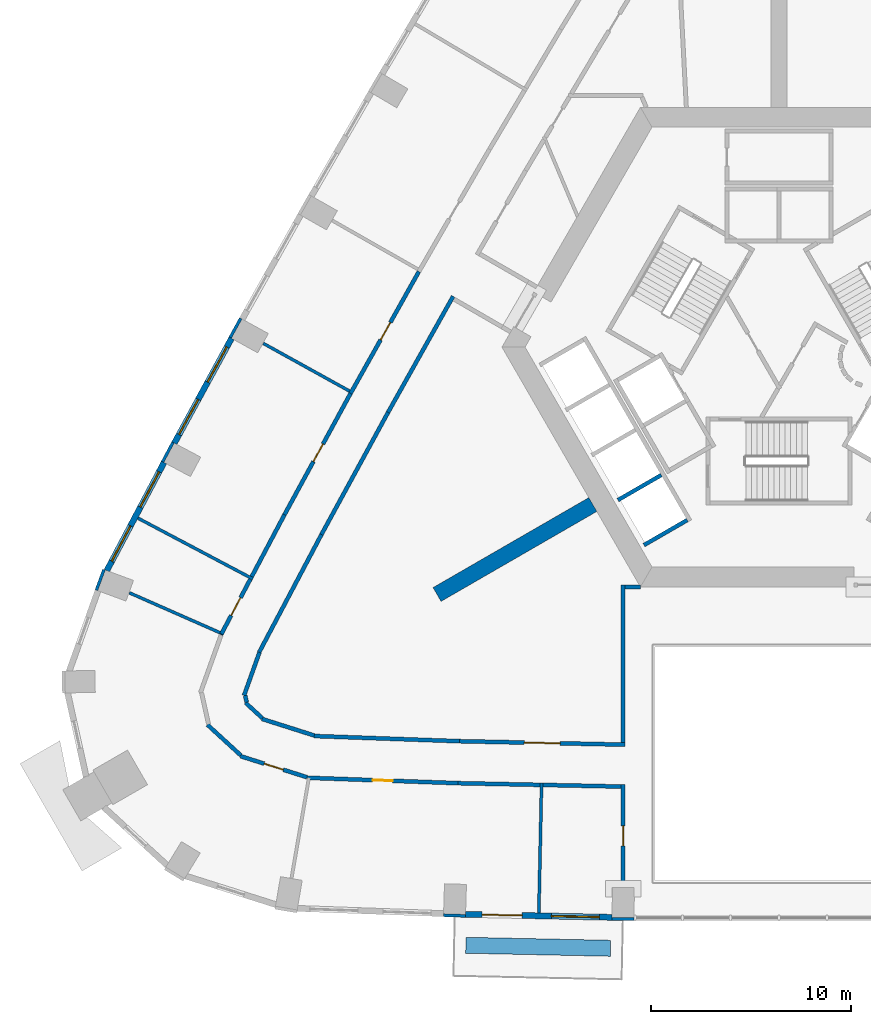
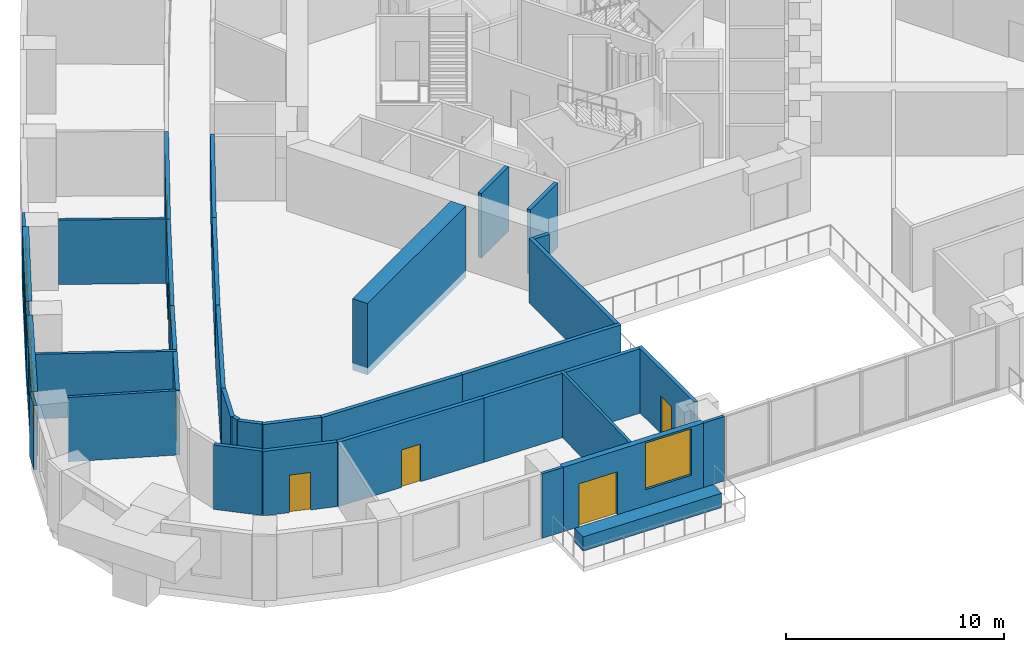
# One storey, part 4 of 14: 37 walls, 8 doors, 5 windows, 13 openings.
"""IFC4 building model written with IfcOpenShell, lengths in metres."""

from ifc_helpers import new_model, si_unit, direction, frame, frame_2d, origin, place, context, subcontext, project, spatial, rectangle, extrude, material, layer, layer_set, type_object, element, fill, save


model = new_model("IFC4")

# Units and contexts
model_context = context("Model", 3, precision=1e-05, world=origin(), true_north=direction((0.0, 1.0)))
body_context = subcontext(model_context, "Body", "Model", "MODEL_VIEW")
ifc_project = project(units=[si_unit("LENGTHUNIT", "METRE"), si_unit("AREAUNIT", "SQUARE_METRE"), si_unit("VOLUMEUNIT", "CUBIC_METRE"), si_unit("PLANEANGLEUNIT", "RADIAN"), si_unit("MASSUNIT", "GRAM", prefix="KILO")], contexts=[model_context])

# Site, building, storey
site_placement = place(None, origin())
site = spatial("IfcSite", under=ifc_project, at=site_placement, CompositionType="ELEMENT")
building_placement = place(site_placement, origin())
building = spatial("IfcBuilding", under=site, at=building_placement, Name="Entoto Arch Interchange Tower", CompositionType="ELEMENT")
storey_placement = place(building_placement, frame((0.0, 0.0, 180.199951171875)))
storey = spatial("IfcBuildingStorey", under=building, at=storey_placement, Name="L40", CompositionType="ELEMENT", Elevation=180.199951171875)

# Walls
ifc_material_1 = material(Name="Concrete C50/60", Category="concrete")
ifc_layer_1 = layer(ifc_material_1, 0.800048828125)
ifc_layer_set_1 = layer_set([ifc_layer_1], Name="Concrete C50/60")
wall_type_1 = type_object("IfcWallType", Name="Buttress wall 800 C50/60", PredefinedType="SHEAR", material=ifc_layer_set_1)
wall_1_placement = place(storey_placement, frame((-9.31005859375, -5.375, -0.39990234375), z_axis=(0.0, 0.0, 1.0), x_axis=(-0.866017533419, -0.500013631625, 0.0)))
element("IfcWall", 1, at=wall_1_placement, inside=storey, type_object=wall_type_1, Name="Buttress wall SW L40", PredefinedType="SHEAR", context=body_context, shape_type="SweptSolid", body=[
    extrude(rectangle(XDim=8.999755859375, YDim=0.800048828125, at=frame_2d((4.5, 0.0))), origin(), (0.0, 0.0, 1.0), 4.0),
])
ifc_material_2 = material(Name="Concrete C40/50", Category="concrete")
ifc_layer_2 = layer(ifc_material_2, 0.199951171875)
ifc_layer_set_2 = layer_set([ifc_layer_2], Name="Concrete C40/50")
wall_type_2 = type_object("IfcWallType", Name="LIFT SHAFT WALL 200", PredefinedType="STANDARD", material=ifc_layer_set_2)
for number, where, z_axis, x_axis, name in (
    (2, (-5.887939453125, -3.902099609375, 0.0), (0.0, 0.0, 1.0), (-0.866022959057, -0.500004234368, 0.0), "Shaft wall SW3 cross 4"),
    (3, (-4.587890625, -6.153076171875, 0.0), (0.0, 0.0, 1.0), (-0.866022959057, -0.500004234368, 0.0), "Shaft wall SW3 cross 5"),
):
    element("IfcWall", number, at=place(storey_placement, frame(where, z_axis=z_axis, x_axis=x_axis)), inside=storey, type_object=wall_type_2, Name=name, PredefinedType="STANDARD", context=body_context, shape_type="SweptSolid", body=[
        extrude(rectangle(XDim=2.5, YDim=0.199951171875, at=frame_2d((1.25, 0.0))), origin(), (0.0, 0.0, 1.0), 3.60009765625),
    ])
ifc_material_3 = material(Name="Gypsum board partition on steel studs", Category="steel")
ifc_layer_3 = layer(ifc_material_3, 0.14990234375)
ifc_layer_set_3 = layer_set([ifc_layer_3], Name="Gypsum board partition on steel studs")
wall_type_3 = type_object("IfcWallType", Name="PARTITION 150", PredefinedType="PARTITIONING", material=ifc_layer_set_3)
wall_2_placement = place(storey_placement, frame((-21.48095703125, 0.299072265625, 0.0), z_axis=(0.0, 0.0, 1.0), x_axis=(-0.875073760972, 0.483989579286, 0.0)))
element("IfcWall", 4, at=wall_2_placement, inside=storey, type_object=wall_type_3, Name="wall:L40:p124", PredefinedType="PARTITIONING", context=body_context, shape_type="SweptSolid", body=[
    extrude(rectangle(XDim=4.929931640625, YDim=0.14990234375, at=frame_2d((2.46484375, 0.0))), origin(), (0.0, 0.0, 1.0), 3.60009765625),
])
wall_3_placement = place(storey_placement, frame((-26.322998046875, -9.094970703125, 0.0), z_axis=(0.0, 0.0, 1.0), x_axis=(-0.883977869384, 0.467528743971, 0.0)))
element("IfcWall", 5, at=wall_3_placement, inside=storey, type_object=wall_type_3, Name="wall:L40:p125", PredefinedType="PARTITIONING", context=body_context, shape_type="SweptSolid", body=[
    extrude(rectangle(XDim=6.500244140625, YDim=0.14990234375, at=frame_2d((3.25, 0.0))), origin(), (0.0, 0.0, 1.0), 3.60009765625),
])
wall_4_placement = place(storey_placement, frame((-27.7880859375, -11.864990234375, 0.0), z_axis=(0.0, 0.0, 1.0), x_axis=(-0.915139307711, 0.403137752489, 0.0)))
element("IfcWall", 6, at=wall_4_placement, inside=storey, type_object=wall_type_3, Name="wall:L40:p126", PredefinedType="PARTITIONING", context=body_context, shape_type="SweptSolid", body=[
    extrude(rectangle(XDim=5.14453125, YDim=0.14990234375, at=frame_2d((2.572265625, 0.0))), origin(), (0.0, 0.0, 1.0), 3.60009765625),
])
wall_5_placement = place(storey_placement, frame((-11.875, -19.302978515625, 0.0), z_axis=(0.0, 0.0, 1.0), x_axis=(-0.020922680752, -0.999781096756, 0.0)))
element("IfcWall", 7, at=wall_5_placement, inside=storey, type_object=wall_type_3, Name="wall:L40:p128", PredefinedType="PARTITIONING", context=body_context, shape_type="SweptSolid", body=[
    extrude(rectangle(XDim=6.49951171875, YDim=0.14990234375, at=frame_2d((3.249755859375, 0.0))), origin(), (0.0, 0.0, 1.0), 3.60009765625),
])
ifc_layer_4 = layer(ifc_material_3, 0.199951171875)
ifc_layer_set_4 = layer_set([ifc_layer_4], Name="Gypsum board partition on steel studs")
wall_type_4 = type_object("IfcWallType", Name="PARTITION 200", PredefinedType="PARTITIONING", material=ifc_layer_set_4)
wall_6_placement = place(storey_placement, frame((-22.887939453125, -6.8779296875, 0.0), z_axis=(0.0, 0.0, 1.0), x_axis=(-0.467533790284, -0.883975200411, 0.0)))
element("IfcWall", 8, at=wall_6_placement, inside=storey, type_object=wall_type_4, Name="wall:L40:p032", PredefinedType="PARTITIONING", context=body_context, shape_type="SweptSolid", body=[
    extrude(rectangle(XDim=6.65625, YDim=0.199951171875, at=frame_2d((3.328125, 0.0))), origin(), (0.0, 0.0, 1.0), 3.60009765625),
])
wall_7_placement = place(storey_placement, frame((-25.987060546875, -12.76806640625, 0.0), z_axis=(0.0, 0.0, 1.0), x_axis=(-0.33645112914, -0.941700927949, 0.0)))
element("IfcWall", 9, at=wall_7_placement, inside=storey, type_object=wall_type_4, Name="wall:L40:p033", PredefinedType="PARTITIONING", context=body_context, shape_type="SweptSolid", body=[
    extrude(rectangle(XDim=2.29150390625, YDim=0.199951171875, at=frame_2d((1.145751953125, 0.0))), origin(), (0.0, 0.0, 1.0), 3.60009765625),
])
wall_8_placement = place(storey_placement, frame((-26.702880859375, -14.929931640625, 0.0), z_axis=(0.0, 0.0, 1.0), x_axis=(0.216250293589, -0.976337959173, 0.0)))
element("IfcWall", 10, at=wall_8_placement, inside=storey, type_object=wall_type_4, Name="wall:L40:p034", PredefinedType="PARTITIONING", context=body_context, shape_type="SweptSolid", body=[
    extrude(rectangle(XDim=0.342041015625, YDim=0.199951171875, at=frame_2d((0.1708984375, 0.0))), origin(), (0.0, 0.0, 1.0), 3.60009765625),
])
wall_9_placement = place(storey_placement, frame((-26.680908203125, -15.2939453125, 0.0), z_axis=(0.0, 0.0, 1.0), x_axis=(0.737118519418, -0.675763485497, 0.0)))
element("IfcWall", 11, at=wall_9_placement, inside=storey, type_object=wall_type_4, Name="wall:L40:p035", PredefinedType="PARTITIONING", context=body_context, shape_type="SweptSolid", body=[
    extrude(rectangle(XDim=1.137939453125, YDim=0.199951171875, at=frame_2d((0.56884765625, 0.0))), origin(), (0.0, 0.0, 1.0), 3.60009765625),
])
wall_10_placement = place(storey_placement, frame((-25.864013671875, -16.10009765625, 0.0), z_axis=(0.0, 0.0, 1.0), x_axis=(0.953158072423, -0.302472625167, 0.0)))
element("IfcWall", 12, at=wall_10_placement, inside=storey, type_object=wall_type_4, Name="wall:L40:p036", PredefinedType="PARTITIONING", context=body_context, shape_type="SweptSolid", body=[
    extrude(rectangle(XDim=2.743408203125, YDim=0.199951171875, at=frame_2d((1.37158203125, 0.0))), origin(), (0.0, 0.0, 1.0), 3.60009765625),
])
wall_11_placement = place(storey_placement, frame((-23.2529296875, -16.95703125, 0.0), z_axis=(0.0, 0.0, 1.0), x_axis=(0.999365460355, -0.035618487468, 0.0)))
element("IfcWall", 13, at=wall_11_placement, inside=storey, type_object=wall_type_4, Name="wall:L40:p037", PredefinedType="PARTITIONING", context=body_context, shape_type="SweptSolid", body=[
    extrude(rectangle(XDim=7.2724609375, YDim=0.199951171875, at=frame_2d((3.63623046875, 0.0))), origin(), (0.0, 0.0, 1.0), 3.60009765625),
])

# Wall, opening, door
wall_12_placement = place(storey_placement, frame((-15.985107421875, -17.216064453125, 0.0), z_axis=(0.0, 0.0, 1.0), x_axis=(0.999782442794, -0.020858261713, 0.0)))
wall_12 = element("IfcWall", 14, at=wall_12_placement, inside=storey, type_object=wall_type_4, Name="wall:L40:p038", PredefinedType="PARTITIONING", context=body_context, shape_type="SweptSolid", body=[
    extrude(rectangle(XDim=8.286865234375, YDim=0.199951171875, at=frame_2d((4.1435546875, 0.0))), origin(), (0.0, 0.0, 1.0), 3.60009765625),
])
opening_1_placement = place(wall_12_placement, frame((3.243896484375, 0.0, 0.0)))
opening_1 = element("IfcOpeningElement", 15, at=opening_1_placement, cuts=wall_12, Name="Opening L40-D27", PredefinedType="OPENING", context=body_context, shape_type="SweptSolid", body=[
    extrude(rectangle(XDim=1.800048828125, YDim=2.10009765625, at=frame_2d((0.89990234375, 1.050048828125))), frame((0.0, 0.10986328125, 0.0), z_axis=(0.0, -1.0, 0.0), x_axis=(1.0, 0.0, 0.0)), (0.0, 0.0, 1.0), 0.219970703125),
])
ifc_material_4 = material(Name="Timber door leaf in Steel S235 frame", Category="steel")
door_type_1 = type_object("IfcDoorType", Name="DOOR DD-18 1800x2100", OperationType="DOUBLE_DOOR_SINGLE_SWING", PredefinedType="DOOR", material=ifc_material_4)
door_1_placement = place(opening_1_placement, origin())
door_1 = element("IfcDoor", 16, at=door_1_placement, inside=storey, type_object=door_type_1, Name="door:L40:27", OperationType="DOUBLE_DOOR_SINGLE_SWING", OverallHeight=2.10009765625, OverallWidth=1.800048828125, PredefinedType="DOOR", context=body_context, shape_type="SweptSolid", body=[
    extrude(rectangle(XDim=1.800048828125, YDim=2.10009765625, at=frame_2d((0.89990234375, 1.050048828125))), frame((0.0, 0.02490234375, 0.0), z_axis=(0.0, -1.0, 0.0), x_axis=(1.0, 0.0, 0.0)), (0.0, 0.0, 1.0), 0.050048828125),
])
fill(opening_1, door_1)

# Walls
wall_13_placement = place(storey_placement, frame((-16.299072265625, 5.0400390625, 0.0), z_axis=(0.0, 0.0, 1.0), x_axis=(-0.489219677344, -0.872160597195, 0.0)))
element("IfcWall", 17, at=wall_13_placement, inside=storey, type_object=wall_type_4, Name="wall:L40:p040", PredefinedType="PARTITIONING", context=body_context, shape_type="SweptSolid", body=[
    extrude(rectangle(XDim=6.6572265625, YDim=0.199951171875, at=frame_2d((3.32861328125, 0.0))), origin(), (0.0, 0.0, 1.0), 3.60009765625),
])
wall_14_placement = place(storey_placement, frame((-19.555908203125, -0.76611328125, 0.0), z_axis=(0.0, 0.0, 1.0), x_axis=(-0.478665365973, -0.877997418799, 0.0)))
element("IfcWall", 18, at=wall_14_placement, inside=storey, type_object=wall_type_4, Name="wall:L40:p041", PredefinedType="PARTITIONING", context=body_context, shape_type="SweptSolid", body=[
    extrude(rectangle(XDim=6.961181640625, YDim=0.199951171875, at=frame_2d((3.48046875, 0.0))), origin(), (0.0, 0.0, 1.0), 3.60009765625),
])

# Wall, opening, door
wall_15_placement = place(storey_placement, frame((-21.429931640625, 0.18505859375, 0.0), z_axis=(0.0, 0.0, 1.0), x_axis=(0.489124577711, 0.872213934468, 0.0)))
wall_15 = element("IfcWall", 19, at=wall_15_placement, inside=storey, type_object=wall_type_4, Name="wall:L40:p067", PredefinedType="PARTITIONING", context=body_context, shape_type="SweptSolid", body=[
    extrude(rectangle(XDim=6.988037109375, YDim=0.199951171875, at=frame_2d((3.494140625, 0.0))), origin(), (0.0, 0.0, 1.0), 3.60009765625),
])
opening_2_placement = place(wall_15_placement, frame((3.069091796875, 0.0, 0.0)))
opening_2 = element("IfcOpeningElement", 20, at=opening_2_placement, cuts=wall_15, Name="Opening L40-D13", PredefinedType="OPENING", context=body_context, shape_type="SweptSolid", body=[
    extrude(rectangle(XDim=1.0, YDim=2.10009765625, at=frame_2d((0.5, 1.050048828125))), frame((0.0, 0.10986328125, 0.0), z_axis=(0.0, -1.0, 0.0), x_axis=(1.0, 0.0, 0.0)), (0.0, 0.0, 1.0), 0.219970703125),
])
door_type_2 = type_object("IfcDoorType", Name="DOOR DS-10 1000x2100", OperationType="SINGLE_SWING_LEFT", PredefinedType="DOOR", material=ifc_material_4)
door_2_placement = place(opening_2_placement, origin())
door_2 = element("IfcDoor", 21, at=door_2_placement, inside=storey, type_object=door_type_2, Name="door:L40:13", OperationType="SINGLE_SWING_LEFT", OverallHeight=2.10009765625, OverallWidth=1.0, PredefinedType="DOOR", context=body_context, shape_type="SweptSolid", body=[
    extrude(rectangle(XDim=1.0, YDim=2.10009765625, at=frame_2d((0.5, 1.050048828125))), frame((0.0, 0.02490234375, 0.0), z_axis=(0.0, -1.0, 0.0), x_axis=(1.0, 0.0, 0.0)), (0.0, 0.0, 1.0), 0.050048828125),
])
fill(opening_2, door_2)

# Wall
wall_16_placement = place(storey_placement, frame((-26.3759765625, -8.98193359375, 0.0), z_axis=(0.0, 0.0, 1.0), x_axis=(0.467529077139, 0.883977693174, 0.0)))
element("IfcWall", 22, at=wall_16_placement, inside=storey, type_object=wall_type_4, Name="wall:L40:p068", PredefinedType="PARTITIONING", context=body_context, shape_type="SweptSolid", body=[
    extrude(rectangle(XDim=3.50341796875, YDim=0.199951171875, at=frame_2d((1.751708984375, 0.0))), origin(), (0.0, 0.0, 1.0), 3.60009765625),
])

# Wall, opening, door
wall_17_placement = place(storey_placement, frame((-24.738037109375, -5.885009765625, 0.0), z_axis=(0.0, 0.0, 1.0), x_axis=(0.478535377863, 0.878068273048, 0.0)))
wall_17 = element("IfcWall", 23, at=wall_17_placement, inside=storey, type_object=wall_type_4, Name="wall:L40:p069", PredefinedType="PARTITIONING", context=body_context, shape_type="SweptSolid", body=[
    extrude(rectangle(XDim=6.9130859375, YDim=0.199951171875, at=frame_2d((3.45654296875, 0.0))), origin(), (0.0, 0.0, 1.0), 3.60009765625),
])
opening_3_placement = place(wall_17_placement, frame((3.031005859375, 0.0, 0.0)))
opening_3 = element("IfcOpeningElement", 24, at=opening_3_placement, cuts=wall_17, Name="Opening L40-D14", PredefinedType="OPENING", context=body_context, shape_type="SweptSolid", body=[
    extrude(rectangle(XDim=1.0, YDim=2.10009765625, at=frame_2d((0.5, 1.050048828125))), frame((0.0, 0.10986328125, 0.0), z_axis=(0.0, -1.0, 0.0), x_axis=(1.0, 0.0, 0.0)), (0.0, 0.0, 1.0), 0.219970703125),
])
door_3_placement = place(opening_3_placement, origin())
door_3 = element("IfcDoor", 25, at=door_3_placement, inside=storey, type_object=door_type_2, Name="door:L40:14", OperationType="SINGLE_SWING_RIGHT", OverallHeight=2.10009765625, OverallWidth=1.0, PredefinedType="DOOR", context=body_context, shape_type="SweptSolid", body=[
    extrude(rectangle(XDim=1.0, YDim=2.10009765625, at=frame_2d((0.5, 1.050048828125))), frame((0.0, 0.02490234375, 0.0), z_axis=(0.0, -1.0, 0.0), x_axis=(1.0, 0.0, 0.0)), (0.0, 0.0, 1.0), 0.050048828125),
])
fill(opening_3, door_3)

wall_18_placement = place(storey_placement, frame((-27.89111328125, -11.846923828125, 0.0), z_axis=(0.0, 0.0, 1.0), x_axis=(0.467571923705, 0.883955030623, 0.0)))
wall_18 = element("IfcWall", 26, at=wall_18_placement, inside=storey, type_object=wall_type_4, Name="wall:L40:p070", PredefinedType="PARTITIONING", context=body_context, shape_type="SweptSolid", body=[
    extrude(rectangle(XDim=3.090576171875, YDim=0.199951171875, at=frame_2d((1.54541015625, 0.0))), origin(), (0.0, 0.0, 1.0), 3.60009765625),
])
opening_4_placement = place(wall_18_placement, frame((1.044921875, 0.0, 0.0)))
opening_4 = element("IfcOpeningElement", 27, at=opening_4_placement, cuts=wall_18, Name="Opening L40-D15", PredefinedType="OPENING", context=body_context, shape_type="SweptSolid", body=[
    extrude(rectangle(XDim=1.0, YDim=2.10009765625, at=frame_2d((0.5, 1.050048828125))), frame((0.0, 0.10986328125, 0.0), z_axis=(0.0, -1.0, 0.0), x_axis=(1.0, 0.0, 0.0)), (0.0, 0.0, 1.0), 0.219970703125),
])
door_4_placement = place(opening_4_placement, origin())
door_4 = element("IfcDoor", 28, at=door_4_placement, inside=storey, type_object=door_type_2, Name="door:L40:15", OperationType="SINGLE_SWING_LEFT", OverallHeight=2.10009765625, OverallWidth=1.0, PredefinedType="DOOR", context=body_context, shape_type="SweptSolid", body=[
    extrude(rectangle(XDim=1.0, YDim=2.10009765625, at=frame_2d((0.5, 1.050048828125))), frame((0.0, 0.02490234375, 0.0), z_axis=(0.0, -1.0, 0.0), x_axis=(1.0, 0.0, 0.0)), (0.0, 0.0, 1.0), 0.050048828125),
])
fill(opening_4, door_4)

wall_19_placement = place(storey_placement, frame((-23.610107421875, -19.01904296875, 0.0), z_axis=(0.0, 0.0, 1.0), x_axis=(-0.953121068097, 0.302589209243, 0.0)))
wall_19 = element("IfcWall", 29, at=wall_19_placement, inside=storey, type_object=wall_type_4, Name="wall:L40:p071", PredefinedType="PARTITIONING", context=body_context, shape_type="SweptSolid", body=[
    extrude(rectangle(XDim=3.49365234375, YDim=0.199951171875, at=frame_2d((1.746826171875, 0.0))), origin(), (0.0, 0.0, 1.0), 3.60009765625),
])
opening_5_placement = place(wall_19_placement, frame((1.2470703125, 0.0, 0.0)))
opening_5 = element("IfcOpeningElement", 30, at=opening_5_placement, cuts=wall_19, Name="Opening L40-D16", PredefinedType="OPENING", context=body_context, shape_type="SweptSolid", body=[
    extrude(rectangle(XDim=1.0, YDim=2.10009765625, at=frame_2d((0.5, 1.050048828125))), frame((0.0, 0.10986328125, 0.0), z_axis=(0.0, -1.0, 0.0), x_axis=(1.0, 0.0, 0.0)), (0.0, 0.0, 1.0), 0.219970703125),
])
door_5_placement = place(opening_5_placement, origin())
door_5 = element("IfcDoor", 31, at=door_5_placement, inside=storey, type_object=door_type_2, Name="door:L40:16", OperationType="SINGLE_SWING_LEFT", OverallHeight=2.10009765625, OverallWidth=1.0, PredefinedType="DOOR", context=body_context, shape_type="SweptSolid", body=[
    extrude(rectangle(XDim=1.0, YDim=2.10009765625, at=frame_2d((0.5, 1.050048828125))), frame((0.0, 0.02490234375, 0.0), z_axis=(0.0, -1.0, 0.0), x_axis=(1.0, 0.0, 0.0)), (0.0, 0.0, 1.0), 0.050048828125),
])
fill(opening_5, door_5)

# Walls
wall_20_placement = place(storey_placement, frame((-26.9189453125, -17.925048828125, 0.0), z_axis=(0.0, 0.0, 1.0), x_axis=(-0.737118331834, 0.675763690112, 0.0)))
element("IfcWall", 32, at=wall_20_placement, inside=storey, type_object=wall_type_4, Name="wall:L40:p072", PredefinedType="PARTITIONING", context=body_context, shape_type="SweptSolid", body=[
    extrude(rectangle(XDim=2.26416015625, YDim=0.199951171875, at=frame_2d((1.132080078125, 0.0))), origin(), (0.0, 0.0, 1.0), 3.60009765625),
])
wall_21_placement = place(storey_placement, frame((-11.951904296875, -19.40087890625, 0.0), z_axis=(0.0, 0.0, 1.0), x_axis=(-0.999784632057, 0.020753060063, 0.0)))
element("IfcWall", 33, at=wall_21_placement, inside=storey, type_object=wall_type_4, Name="wall:L40:p075", PredefinedType="PARTITIONING", context=body_context, shape_type="SweptSolid", body=[
    extrude(rectangle(XDim=4.093994140625, YDim=0.199951171875, at=frame_2d((2.046875, 0.0))), origin(), (0.0, 0.0, 1.0), 3.60009765625),
])

# Wall, opening, door
wall_22_placement = place(storey_placement, frame((-16.044921875, -19.31591796875, 0.0), z_axis=(0.0, 0.0, 1.0), x_axis=(-0.999359853626, 0.035775451915, 0.0)))
wall_22 = element("IfcWall", 34, at=wall_22_placement, inside=storey, type_object=wall_type_4, Name="wall:L40:p076", PredefinedType="PARTITIONING", context=body_context, shape_type="SweptSolid", body=[
    extrude(rectangle(XDim=7.574951171875, YDim=0.199951171875, at=frame_2d((3.78759765625, 0.0))), origin(), (0.0, 0.0, 1.0), 3.60009765625),
])
opening_6_placement = place(wall_22_placement, frame((3.2880859375, 0.0, 0.0)))
opening_6 = element("IfcOpeningElement", 35, at=opening_6_placement, cuts=wall_22, Name="Opening L40-D17", PredefinedType="OPENING", context=body_context, shape_type="SweptSolid", body=[
    extrude(rectangle(XDim=1.0, YDim=2.10009765625, at=frame_2d((0.5, 1.050048828125))), frame((0.0, 0.10986328125, 0.0), z_axis=(0.0, -1.0, 0.0), x_axis=(1.0, 0.0, 0.0)), (0.0, 0.0, 1.0), 0.219970703125),
])
door_6_placement = place(opening_6_placement, origin())
door_6 = element("IfcDoor", 36, at=door_6_placement, inside=storey, type_object=door_type_2, Name="door:L40:17", OperationType="SINGLE_SWING_LEFT", OverallHeight=2.10009765625, OverallWidth=1.0, PredefinedType="DOOR", context=body_context, shape_type="SweptSolid", body=[
    extrude(rectangle(XDim=1.0, YDim=2.10009765625, at=frame_2d((0.5, 1.050048828125))), frame((0.0, 0.02490234375, 0.0), z_axis=(0.0, -1.0, 0.0), x_axis=(1.0, 0.0, 0.0)), (0.0, 0.0, 1.0), 0.050048828125),
])
fill(opening_6, door_6)

# Walls
wall_23_placement = place(storey_placement, frame((-7.89990234375, -19.485107421875, 0.0), z_axis=(0.0, 0.0, 1.0), x_axis=(-0.999784330337, 0.020767590419, 0.0)))
element("IfcWall", 37, at=wall_23_placement, inside=storey, type_object=wall_type_4, Name="wall:L40:p077", PredefinedType="PARTITIONING", context=body_context, shape_type="SweptSolid", body=[
    extrude(rectangle(XDim=3.90283203125, YDim=0.199951171875, at=frame_2d((1.951416015625, 0.0))), origin(), (0.0, 0.0, 1.0), 3.60009765625),
])
wall_24_placement = place(storey_placement, frame((-7.800048828125, -17.287109375, 0.0), z_axis=(0.0, 0.0, 1.0), x_axis=(0.0, 1.0, 0.0)))
element("IfcWall", 38, at=wall_24_placement, inside=storey, type_object=wall_type_4, Name="wall:L40:p097", PredefinedType="PARTITIONING", context=body_context, shape_type="SweptSolid", body=[
    extrude(rectangle(XDim=7.88818359375, YDim=0.199951171875, at=frame_2d((3.944091796875, 0.0))), origin(), (0.0, 0.0, 1.0), 3.60009765625),
])
wall_25_placement = place(storey_placement, frame((-7.699951171875, -9.4990234375, 0.0), z_axis=(0.0, 0.0, 1.0), x_axis=(1.0, 0.0, 0.0)))
element("IfcWall", 39, at=wall_25_placement, inside=storey, type_object=wall_type_4, Name="wall:L40:p098", PredefinedType="PARTITIONING", context=body_context, shape_type="SweptSolid", body=[
    extrude(rectangle(XDim=0.77099609375, YDim=0.199951171875, at=frame_2d((0.385498046875, 0.0))), origin(), (0.0, 0.0, 1.0), 3.60009765625),
])

# Wall, opening, door
wall_26_placement = place(storey_placement, frame((-7.800048828125, -24.51904296875, 0.0), z_axis=(0.0, 0.0, 1.0), x_axis=(0.0, 1.0, 0.0)))
wall_26 = element("IfcWall", 40, at=wall_26_placement, inside=storey, type_object=wall_type_4, Name="wall:L40:p100", PredefinedType="PARTITIONING", context=body_context, shape_type="SweptSolid", body=[
    extrude(rectangle(XDim=5.132080078125, YDim=0.199951171875, at=frame_2d((2.56591796875, 0.0))), origin(), (0.0, 0.0, 1.0), 3.60009765625),
])
opening_7_placement = place(wall_26_placement, frame((2.06591796875, 0.0, 0.0)))
opening_7 = element("IfcOpeningElement", 41, at=opening_7_placement, cuts=wall_26, Name="Opening L40-D18", PredefinedType="OPENING", context=body_context, shape_type="SweptSolid", body=[
    extrude(rectangle(XDim=1.0, YDim=2.10009765625, at=frame_2d((0.5, 1.050048828125))), frame((0.0, 0.10986328125, 0.0), z_axis=(0.0, -1.0, 0.0), x_axis=(1.0, 0.0, 0.0)), (0.0, 0.0, 1.0), 0.219970703125),
])
door_7_placement = place(opening_7_placement, origin())
door_7 = element("IfcDoor", 42, at=door_7_placement, inside=storey, type_object=door_type_2, Name="door:L40:18", OperationType="SINGLE_SWING_LEFT", OverallHeight=2.10009765625, OverallWidth=1.0, PredefinedType="DOOR", context=body_context, shape_type="SweptSolid", body=[
    extrude(rectangle(XDim=1.0, YDim=2.10009765625, at=frame_2d((0.5, 1.050048828125))), frame((0.0, 0.02490234375, 0.0), z_axis=(0.0, -1.0, 0.0), x_axis=(1.0, 0.0, 0.0)), (0.0, 0.0, 1.0), 0.050048828125),
])
fill(opening_7, door_7)

# Wall
ifc_material_5 = material(Name="Board-marked precast concrete C50/60", Category="concrete")
ifc_layer_5 = layer(ifc_material_5, 0.800048828125)
ifc_layer_set_5 = layer_set([ifc_layer_5], Name="Board-marked precast concrete C50/60")
wall_type_5 = type_object("IfcWallType", Name="PLANTER RC 800 Olea europaea subsp. cuspidata", PredefinedType="STANDARD", material=ifc_layer_set_5)
wall_27_placement = place(storey_placement, frame((-15.6630859375, -27.425048828125, 0.0), z_axis=(0.0, 0.0, 1.0), x_axis=(0.999782573398, -0.02085200062, 0.0)))
element("IfcWall", 43, at=wall_27_placement, inside=storey, type_object=wall_type_5, Name="Planter S-02 L40", PredefinedType="STANDARD", context=body_context, shape_type="SweptSolid", body=[
    extrude(rectangle(XDim=7.235595703125, YDim=0.800048828125, at=frame_2d((3.61767578125, 0.0))), origin(), (0.0, 0.0, 1.0), 0.800048828125),
])

# Wall, openings, door, window
ifc_material_6 = material(Name="Welded tuff (ignimbrite) cladding, warm buff", Category="masonry")
ifc_layer_6 = layer(ifc_material_6, 0.300048828125)
ifc_layer_set_6 = layer_set([ifc_layer_6], Name="Welded tuff (ignimbrite) cladding, warm buff")
wall_type_6 = type_object("IfcWallType", Name="STONE INFILL WALL 300", PredefinedType="STANDARD", material=ifc_layer_set_6)
wall_28_placement = place(storey_placement, frame((-15.679931640625, -25.875, 0.0), z_axis=(0.0, 0.0, 1.0), x_axis=(0.999782189413, -0.020870403275, 0.0)))
wall_28 = element("IfcWall", 44, at=wall_28_placement, inside=storey, type_object=wall_type_6, Name="Facade wall S-02 L40", PredefinedType="STANDARD", context=body_context, shape_type="SweptSolid", body=[
    extrude(rectangle(XDim=7.334716796875, YDim=0.300048828125, at=frame_2d((3.66748046875, 0.0))), origin(), (0.0, 0.0, 1.0), 3.60009765625),
])
opening_8_placement = place(wall_28_placement, frame((0.833984375, 0.0, 0.0)))
opening_8 = element("IfcOpeningElement", 45, at=opening_8_placement, cuts=wall_28, Name="Opening DB-S-02-L40", PredefinedType="OPENING", context=body_context, shape_type="SweptSolid", body=[
    extrude(rectangle(XDim=2.0, YDim=2.39990234375, at=frame_2d((1.0, 1.199951171875))), frame((0.0, 0.16015625, 0.0), z_axis=(0.0, -1.0, 0.0), x_axis=(1.0, 0.0, 0.0)), (0.0, 0.0, 1.0), 0.320068359375),
])
opening_9_placement = place(wall_28_placement, frame((4.301025390625, 0.0, 0.89990234375)))
opening_9 = element("IfcOpeningElement", 46, at=opening_9_placement, cuts=wall_28, Name="Opening WO-A", PredefinedType="OPENING", context=body_context, shape_type="SweptSolid", body=[
    extrude(rectangle(XDim=2.39990234375, YDim=2.60009765625, at=frame_2d((1.199951171875, 1.300048828125))), frame((0.0, 0.16015625, 0.0), z_axis=(0.0, -1.0, 0.0), x_axis=(1.0, 0.0, 0.0)), (0.0, 0.0, 1.0), 0.320068359375),
])
ifc_material_7 = material(Name="Aluminium and clear glass, anodised", Category="aluminium")
door_type_3 = type_object("IfcDoorType", Name="BALCONY DOOR DB 2000x2400", OperationType="SLIDING_TO_LEFT", PredefinedType="DOOR", material=ifc_material_7)
door_8_placement = place(opening_8_placement, origin())
door_8 = element("IfcDoor", 47, at=door_8_placement, inside=storey, type_object=door_type_3, Name="Balcony door S-02 L40", OperationType="SLIDING_TO_LEFT", OverallHeight=2.39990234375, OverallWidth=2.0, PredefinedType="DOOR", context=body_context, shape_type="SweptSolid", body=[
    extrude(rectangle(XDim=2.0, YDim=2.39990234375, at=frame_2d((1.0, 1.199951171875))), frame((0.0, 0.02490234375, 0.0), z_axis=(0.0, -1.0, 0.0), x_axis=(1.0, 0.0, 0.0)), (0.0, 0.0, 1.0), 0.050048828125),
])
fill(opening_8, door_8)
ifc_material_8 = material(Name="Clear glass, low-e double glazed", Category="glass")
window_type_1 = type_object("IfcWindowType", Name="WINDOW WO-A 2400x2600", PartitioningType="DOUBLE_PANEL_VERTICAL", PredefinedType="WINDOW", material=ifc_material_8)
window_1_placement = place(opening_9_placement, origin())
window_1 = element("IfcWindow", 48, at=window_1_placement, inside=storey, type_object=window_type_1, Name="Window WO-A S-02 L40", OverallHeight=2.60009765625, OverallWidth=2.39990234375, PartitioningType="SINGLE_PANEL", PredefinedType="WINDOW", context=body_context, shape_type="SweptSolid", body=[
    extrude(rectangle(XDim=2.39990234375, YDim=2.60009765625, at=frame_2d((1.199951171875, 1.300048828125))), frame((0.0, 0.030029296875, 0.0), z_axis=(0.0, -1.0, 0.0), x_axis=(1.0, 0.0, 0.0)), (0.0, 0.0, 1.0), 0.06005859375),
])
fill(opening_9, window_1)

# Wall, openings, windows
wall_29_placement = place(storey_placement, frame((-27.387939453125, 2.93896484375, 0.0), z_axis=(0.0, 0.0, 1.0), x_axis=(-0.478711740571, -0.877972134774, 0.0)))
wall_29 = element("IfcWall", 49, at=wall_29_placement, inside=storey, type_object=wall_type_6, Name="Facade wall NW-06 L40", PredefinedType="STANDARD", context=body_context, shape_type="SweptSolid", body=[
    extrude(rectangle(XDim=5.970458984375, YDim=0.300048828125, at=frame_2d((2.9853515625, 0.0))), origin(), (0.0, 0.0, 1.0), 3.60009765625),
])
opening_10_placement = place(wall_29_placement, frame((0.492919921875, 0.0, 0.89990234375)))
opening_10 = element("IfcOpeningElement", 50, at=opening_10_placement, cuts=wall_29, Name="Opening WO-C", PredefinedType="OPENING", context=body_context, shape_type="SweptSolid", body=[
    extrude(rectangle(XDim=2.0, YDim=2.60009765625, at=frame_2d((1.0, 1.300048828125))), frame((0.0, 0.16015625, 0.0), z_axis=(0.0, -1.0, 0.0), x_axis=(1.0, 0.0, 0.0)), (0.0, 0.0, 1.0), 0.320068359375),
])
opening_11_placement = place(wall_29_placement, frame((3.47802734375, 0.0, 0.89990234375)))
opening_11 = element("IfcOpeningElement", 51, at=opening_11_placement, cuts=wall_29, Name="Opening WO-C", PredefinedType="OPENING", context=body_context, shape_type="SweptSolid", body=[
    extrude(rectangle(XDim=2.0, YDim=2.60009765625, at=frame_2d((1.0, 1.300048828125))), frame((0.0, 0.16015625, 0.0), z_axis=(0.0, -1.0, 0.0), x_axis=(1.0, 0.0, 0.0)), (0.0, 0.0, 1.0), 0.320068359375),
])
window_type_2 = type_object("IfcWindowType", Name="WINDOW WO-C 2000x2600", PartitioningType="DOUBLE_PANEL_VERTICAL", PredefinedType="WINDOW", material=ifc_material_8)
window_2_placement = place(opening_10_placement, origin())
window_2 = element("IfcWindow", 52, at=window_2_placement, inside=storey, type_object=window_type_2, Name="Window WO-C NW-06 L40", OverallHeight=2.60009765625, OverallWidth=2.0, PartitioningType="SINGLE_PANEL", PredefinedType="WINDOW", context=body_context, shape_type="SweptSolid", body=[
    extrude(rectangle(XDim=2.0, YDim=2.60009765625, at=frame_2d((1.0, 1.300048828125))), frame((0.0, 0.030029296875, 0.0), z_axis=(0.0, -1.0, 0.0), x_axis=(1.0, 0.0, 0.0)), (0.0, 0.0, 1.0), 0.06005859375),
])
fill(opening_10, window_2)
window_3_placement = place(opening_11_placement, origin())
window_3 = element("IfcWindow", 53, at=window_3_placement, inside=storey, type_object=window_type_2, Name="Window WO-C NW-06 L40", OverallHeight=2.60009765625, OverallWidth=2.0, PartitioningType="SINGLE_PANEL", PredefinedType="WINDOW", context=body_context, shape_type="SweptSolid", body=[
    extrude(rectangle(XDim=2.0, YDim=2.60009765625, at=frame_2d((1.0, 1.300048828125))), frame((0.0, 0.030029296875, 0.0), z_axis=(0.0, -1.0, 0.0), x_axis=(1.0, 0.0, 0.0)), (0.0, 0.0, 1.0), 0.06005859375),
])
fill(opening_11, window_3)

wall_30_placement = place(storey_placement, frame((-30.764892578125, -3.27099609375, 0.0), z_axis=(0.0, 0.0, 1.0), x_axis=(-0.467572383403, -0.883954787463, 0.0)))
wall_30 = element("IfcWall", 54, at=wall_30_placement, inside=storey, type_object=wall_type_6, Name="Facade wall NW-07 L40", PredefinedType="STANDARD", context=body_context, shape_type="SweptSolid", body=[
    extrude(rectangle(XDim=6.118896484375, YDim=0.300048828125, at=frame_2d((3.0595703125, 0.0))), origin(), (0.0, 0.0, 1.0), 3.60009765625),
])
opening_12_placement = place(wall_30_placement, frame((0.530029296875, 0.0, 0.89990234375)))
opening_12 = element("IfcOpeningElement", 55, at=opening_12_placement, cuts=wall_30, Name="Opening WO-C", PredefinedType="OPENING", context=body_context, shape_type="SweptSolid", body=[
    extrude(rectangle(XDim=2.0, YDim=2.60009765625, at=frame_2d((1.0, 1.300048828125))), frame((0.0, 0.16015625, 0.0), z_axis=(0.0, -1.0, 0.0), x_axis=(1.0, 0.0, 0.0)), (0.0, 0.0, 1.0), 0.320068359375),
])
opening_13_placement = place(wall_30_placement, frame((3.589111328125, 0.0, 0.89990234375)))
opening_13 = element("IfcOpeningElement", 56, at=opening_13_placement, cuts=wall_30, Name="Opening WO-C", PredefinedType="OPENING", context=body_context, shape_type="SweptSolid", body=[
    extrude(rectangle(XDim=2.0, YDim=2.60009765625, at=frame_2d((1.0, 1.300048828125))), frame((0.0, 0.16015625, 0.0), z_axis=(0.0, -1.0, 0.0), x_axis=(1.0, 0.0, 0.0)), (0.0, 0.0, 1.0), 0.320068359375),
])
window_4_placement = place(opening_12_placement, origin())
window_4 = element("IfcWindow", 57, at=window_4_placement, inside=storey, type_object=window_type_2, Name="Window WO-C NW-07 L40", OverallHeight=2.60009765625, OverallWidth=2.0, PartitioningType="SINGLE_PANEL", PredefinedType="WINDOW", context=body_context, shape_type="SweptSolid", body=[
    extrude(rectangle(XDim=2.0, YDim=2.60009765625, at=frame_2d((1.0, 1.300048828125))), frame((0.0, 0.030029296875, 0.0), z_axis=(0.0, -1.0, 0.0), x_axis=(1.0, 0.0, 0.0)), (0.0, 0.0, 1.0), 0.06005859375),
])
fill(opening_12, window_4)
window_5_placement = place(opening_13_placement, origin())
window_5 = element("IfcWindow", 58, at=window_5_placement, inside=storey, type_object=window_type_2, Name="Window WO-C NW-07 L40", OverallHeight=2.60009765625, OverallWidth=2.0, PartitioningType="SINGLE_PANEL", PredefinedType="WINDOW", context=body_context, shape_type="SweptSolid", body=[
    extrude(rectangle(XDim=2.0, YDim=2.60009765625, at=frame_2d((1.0, 1.300048828125))), frame((0.0, 0.030029296875, 0.0), z_axis=(0.0, -1.0, 0.0), x_axis=(1.0, 0.0, 0.0)), (0.0, 0.0, 1.0), 0.06005859375),
])
fill(opening_13, window_5)

# Walls
ifc_layer_7 = layer(ifc_material_6, 0.14990234375)
ifc_layer_set_7 = layer_set([ifc_layer_7], Name="Welded tuff (ignimbrite) cladding, warm buff")
wall_type_7 = type_object("IfcWallType", Name="STONE PIER CLADDING 150", PredefinedType="STANDARD", material=ifc_layer_set_7)
wall_31_placement = place(storey_placement, frame((-26.926025390625, 3.93896484375, 0.0), z_axis=(0.0, 0.0, 1.0), x_axis=(-0.481850587491, -0.876253394478, 0.0)))
element("IfcWall", 59, at=wall_31_placement, inside=storey, type_object=wall_type_7, Name="Stone pier NW06 L40", PredefinedType="STANDARD", context=body_context, shape_type="SweptSolid", body=[
    extrude(rectangle(XDim=1.10009765625, YDim=0.14990234375, at=frame_2d((0.550048828125, 0.0))), origin(), (0.0, 0.0, 1.0), 3.60009765625),
])
wall_32_placement = place(storey_placement, frame((-30.31591796875, -2.264892578125, 0.0), z_axis=(0.0, 0.0, 1.0), x_axis=(-0.469966207956, -0.882684407577, 0.0)))
element("IfcWall", 60, at=wall_32_placement, inside=storey, type_object=wall_type_7, Name="Stone pier NW07 L40", PredefinedType="STANDARD", context=body_context, shape_type="SweptSolid", body=[
    extrude(rectangle(XDim=1.100341796875, YDim=0.14990234375, at=frame_2d((0.55029296875, 0.0))), origin(), (0.0, 0.0, 1.0), 3.60009765625),
])
wall_33_placement = place(storey_placement, frame((-33.76611328125, -8.626953125, 0.0), z_axis=(0.0, 0.0, 1.0), x_axis=(-0.346229846278, -0.938149718087, 0.0)))
element("IfcWall", 61, at=wall_33_placement, inside=storey, type_object=wall_type_7, Name="Stone pier NW08 L40", PredefinedType="STANDARD", context=body_context, shape_type="SweptSolid", body=[
    extrude(rectangle(XDim=1.10009765625, YDim=0.14990234375, at=frame_2d((0.550048828125, 0.0))), origin(), (0.0, 0.0, 1.0), 3.60009765625),
])
wall_34_placement = place(storey_placement, frame((-16.781005859375, -25.9208984375, 0.0), z_axis=(0.0, 0.0, 1.0), x_axis=(0.99951682968, -0.031082264806, 0.0)))
element("IfcWall", 62, at=wall_34_placement, inside=storey, type_object=wall_type_7, Name="Stone pier S02 L40", PredefinedType="STANDARD", context=body_context, shape_type="SweptSolid", body=[
    extrude(rectangle(XDim=1.099609375, YDim=0.14990234375, at=frame_2d((0.5498046875, 0.0))), origin(), (0.0, 0.0, 1.0), 3.60009765625),
])
wall_35_placement = place(storey_placement, frame((-8.34912109375, -26.10791015625, 0.0), z_axis=(0.0, 0.0, 1.0), x_axis=(0.99993844157, -0.011095632951, 0.0)))
element("IfcWall", 63, at=wall_35_placement, inside=storey, type_object=wall_type_7, Name="Stone pier S03 L40", PredefinedType="STANDARD", context=body_context, shape_type="SweptSolid", body=[
    extrude(rectangle(XDim=1.10009765625, YDim=0.14990234375, at=frame_2d((0.550048828125, 0.0))), origin(), (0.0, 0.0, 1.0), 3.60009765625),
])

save(model, "model.ifc")
